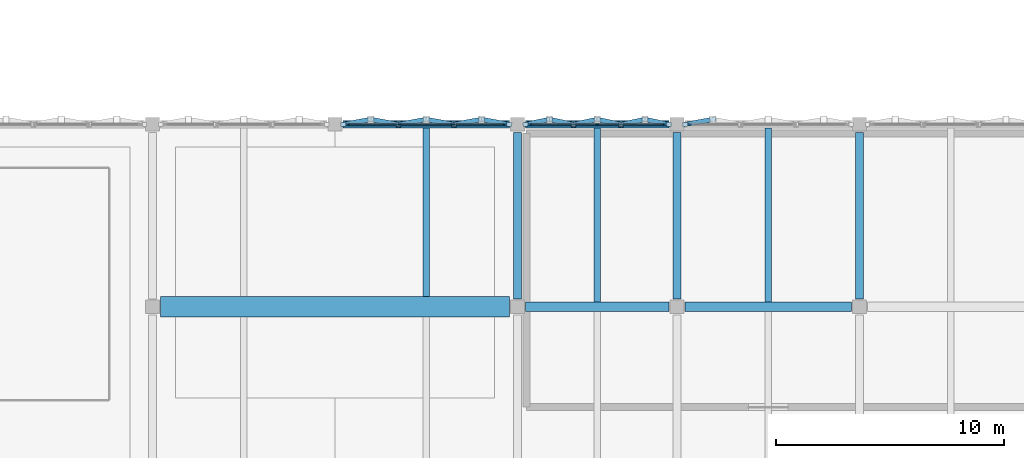
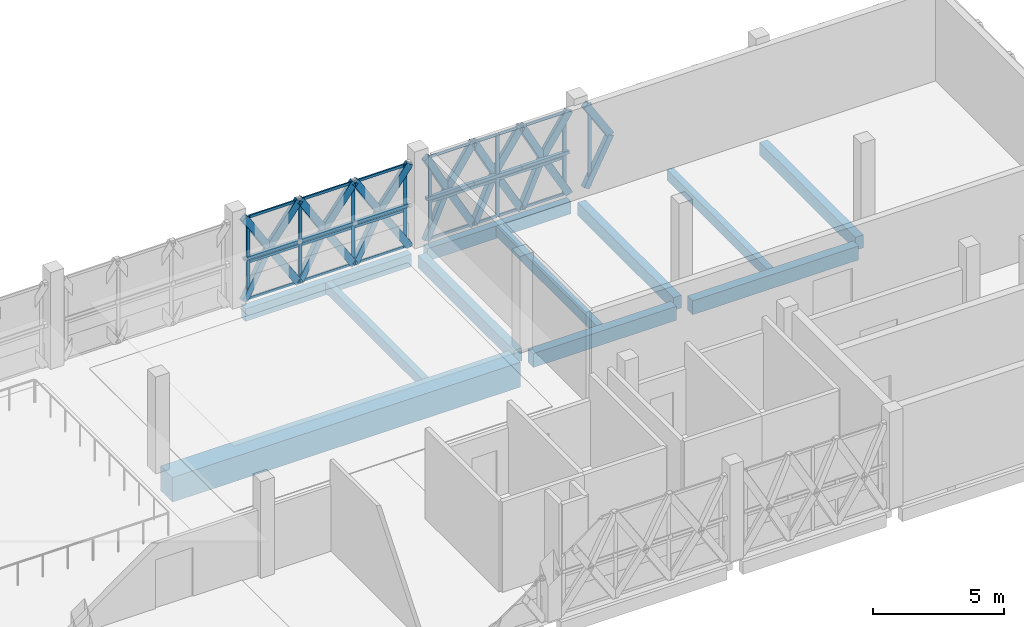
# One storey, part 17 of 43: 55 members, 11 beams, 3 elements without a shape of their own.
"""IFC4 building model written with IfcOpenShell, lengths in metres."""

from ifc_helpers import new_model, si_unit, direction, frame, origin, origin_2d, place, context, subcontext, project, spatial, rectangle, hollow_rectangle, extrude, material, layer, layer_set, material_profile, profile_set, type_object, element, aggregate, save


model = new_model("IFC4")

# Units and contexts
model_context = context("Model", 3, precision=1e-05, world=origin(), true_north=direction((0.0, 1.0)))
body_context = subcontext(model_context, "Body", "Model", "MODEL_VIEW")
ifc_project = project(units=[si_unit("LENGTHUNIT", "METRE"), si_unit("AREAUNIT", "SQUARE_METRE"), si_unit("VOLUMEUNIT", "CUBIC_METRE"), si_unit("PLANEANGLEUNIT", "RADIAN"), si_unit("MASSUNIT", "GRAM", prefix="KILO")], contexts=[model_context])

# Site, building, storey
site_placement = place(None, origin())
site = spatial("IfcSite", under=ifc_project, at=site_placement, CompositionType="ELEMENT")
building_placement = place(site_placement, origin())
building = spatial("IfcBuilding", under=site, at=building_placement, Name="Qorikala Patio Media Centre", CompositionType="ELEMENT")
storey_placement = place(building_placement, frame((0.0, 0.0, 18.89990234375)))
storey = spatial("IfcBuildingStorey", under=building, at=storey_placement, Name="L04", CompositionType="ELEMENT", Elevation=18.89990234375)

# Beams
ifc_material_1 = material(Name="Concrete C35/45", Category="concrete")
ifc_material_profile_1 = material_profile(ifc_material_1, rectangle(XDim=0.35009765625, YDim=0.60009765625, at=origin_2d()), Name="RC 350x600")
ifc_profile_set_1 = profile_set([ifc_material_profile_1], Name="Concrete C35/45")
beam_type_1 = type_object("IfcBeamType", Name="BM-G350X600", PredefinedType="BEAM", material=ifc_profile_set_1)
for number, where, z_axis, x_axis, name in (
    (1, (75.0, 19.35009765625, -0.599853515625), (0.0, 1.0, 0.0), (-1.0, 0.0, 0.0), "L04 Grid X=75 Beam 1434"),
    (2, (82.0, 19.35009765625, -0.599853515625), (0.0, 1.0, 0.0), (-1.0, 0.0, 0.0), "L04 Grid X=82 Beam 1437"),
    (3, (90.0, 19.35009765625, -0.599853515625), (0.0, 1.0, 0.0), (-1.0, 0.0, 0.0), "L04 Grid X=90 Beam 1439"),
):
    element("IfcBeam", number, at=place(storey_placement, frame(where, z_axis=z_axis, x_axis=x_axis)), inside=storey, type_object=beam_type_1, Name=name, PredefinedType="BEAM", context=body_context, shape_type="SweptSolid", body=[
        extrude(rectangle(XDim=0.35009765625, YDim=0.60009765625, at=origin_2d()), origin(), (0.0, 0.0, 1.0), 7.2998046875),
    ])
ifc_material_profile_2 = material_profile(ifc_material_1, rectangle(XDim=0.39990234375, YDim=0.64990234375, at=origin_2d()), Name="RC 400x650")
ifc_profile_set_2 = profile_set([ifc_material_profile_2], Name="Concrete C35/45")
beam_type_2 = type_object("IfcBeamType", Name="BM-G400X650", PredefinedType="BEAM", material=ifc_profile_set_2)
beam_1_placement = place(storey_placement, frame((75.35009765625, 19.0, -0.625), z_axis=(1.0, 0.0, 0.0), x_axis=(0.0, 1.0, 0.0)))
element("IfcBeam", 4, at=beam_1_placement, inside=storey, type_object=beam_type_2, Name="L04 Grid 19 Beam 1346", PredefinedType="BEAM", context=body_context, shape_type="SweptSolid", body=[
    extrude(rectangle(XDim=0.39990234375, YDim=0.64990234375, at=origin_2d()), origin(), (0.0, 0.0, 1.0), 6.2998046875),
])
beam_2_placement = place(storey_placement, frame((82.35009765625, 19.0, -0.625), z_axis=(1.0, 0.0, 0.0), x_axis=(0.0, 1.0, 0.0)))
element("IfcBeam", 5, at=beam_2_placement, inside=storey, type_object=beam_type_2, Name="L04 Grid 19 Beam 1347", PredefinedType="BEAM", context=body_context, shape_type="SweptSolid", body=[
    extrude(rectangle(XDim=0.39990234375, YDim=0.64990234375, at=origin_2d()), origin(), (0.0, 0.0, 1.0), 7.2998046875),
])
ifc_material_profile_3 = material_profile(ifc_material_1, rectangle(XDim=0.89990234375, YDim=1.14990234375, at=origin_2d()), Name="RC 900x1150")
ifc_profile_set_3 = profile_set([ifc_material_profile_3], Name="Concrete C35/45")
beam_type_3 = type_object("IfcBeamType", Name="BM-TR900X1150", PredefinedType="BEAM", material=ifc_profile_set_3)
beam_3_placement = place(storey_placement, frame((59.35009765625, 19.0, -0.875), z_axis=(1.0, 0.0, 0.0), x_axis=(0.0, 1.0, 0.0)))
element("IfcBeam", 6, at=beam_3_placement, inside=storey, type_object=beam_type_3, Name="L04 Grid 19 Beam 1345", PredefinedType="BEAM", context=body_context, shape_type="SweptSolid", body=[
    extrude(rectangle(XDim=0.89990234375, YDim=1.14990234375, at=origin_2d()), origin(), (0.0, 0.0, 1.0), 15.2998046875),
])

# Members
ifc_material_2 = material(Name="Golden Bronze Coated Steel S355", Category="steel")
ifc_material_profile_4 = material_profile(ifc_material_2, hollow_rectangle(XDim=0.139892578125, YDim=0.139892578125, WallThickness=0.006103515625, at=origin_2d()), Name="HSS140X140X6")
ifc_profile_set_4 = profile_set([ifc_material_profile_4], Name="Golden Bronze Coated Steel S355")
member_type_1 = type_object("IfcMemberType", Name="BRACE-DIA140", PredefinedType="BRACE", material=ifc_profile_set_4)
member_1_placement = place(storey_placement, frame((67.360107421875, 27.0, 1.925048828125), z_axis=(1.0, 0.0, 0.0), x_axis=(0.0, 1.0, 0.0)))
element("IfcMember", 7, at=member_1_placement, inside=storey, type_object=member_type_1, Name="L04 Diamond Fold Tie 109", PredefinedType="BRACE", context=body_context, shape_type="SweptSolid", body=[
    extrude(hollow_rectangle(XDim=0.139892578125, YDim=0.139892578125, WallThickness=0.006103515625, at=origin_2d()), origin(), (0.0, 0.0, 1.0), 2.426513671875),
])
member_2_placement = place(storey_placement, frame((69.78662109375, 27.0, 1.925048828125), z_axis=(1.0, 0.0, 0.0), x_axis=(0.0, 1.0, 0.0)))
element("IfcMember", 8, at=member_2_placement, inside=storey, type_object=member_type_1, Name="L04 Diamond Fold Tie 110", PredefinedType="BRACE", context=body_context, shape_type="SweptSolid", body=[
    extrude(hollow_rectangle(XDim=0.139892578125, YDim=0.139892578125, WallThickness=0.006103515625, at=origin_2d()), origin(), (0.0, 0.0, 1.0), 2.4267578125),
])
member_3_placement = place(storey_placement, frame((72.21337890625, 27.0, 1.925048828125), z_axis=(1.0, 0.0, 0.0), x_axis=(0.0, 1.0, 0.0)))
element("IfcMember", 9, at=member_3_placement, inside=storey, type_object=member_type_1, Name="L04 Diamond Fold Tie 111", PredefinedType="BRACE", context=body_context, shape_type="SweptSolid", body=[
    extrude(hollow_rectangle(XDim=0.139892578125, YDim=0.139892578125, WallThickness=0.006103515625, at=origin_2d()), origin(), (0.0, 0.0, 1.0), 2.426513671875),
])
for number, where, z_axis, x_axis, name in (
    (10, (75.360107421875, 27.0, 1.925048828125), (1.0, 0.0, 0.0), (0.0, 1.0, 0.0), "L04 Diamond Fold Tie 112"),
    (11, (77.453369140625, 27.0, 1.925048828125), (1.0, 0.0, 0.0), (0.0, 1.0, 0.0), "L04 Diamond Fold Tie 113"),
    (12, (79.546630859375, 27.0, 1.925048828125), (1.0, 0.0, 0.0), (0.0, 1.0, 0.0), "L04 Diamond Fold Tie 114"),
):
    element("IfcMember", number, at=place(storey_placement, frame(where, z_axis=z_axis, x_axis=x_axis)), inside=storey, type_object=member_type_1, Name=name, PredefinedType="BRACE", context=body_context, shape_type="SweptSolid", body=[
        extrude(hollow_rectangle(XDim=0.139892578125, YDim=0.139892578125, WallThickness=0.006103515625, at=origin_2d()), origin(), (0.0, 0.0, 1.0), 2.09326171875),
    ])

# Curtain wall, members
ifc_material_3 = material(Name="Golden Bronze Anodised Aluminium and Low-E Glass", Category="aluminium")
ifc_layer_1 = layer(ifc_material_3, 0.159912109375)
ifc_layer_set_1 = layer_set([ifc_layer_1], Name="Golden Bronze Anodised Aluminium and Low-E Glass")
curtain_wall_type_1 = type_object("IfcCurtainWallType", Name="CW-DIA-696X385", PredefinedType="USERDEFINED", material=ifc_layer_set_1)
curtain_wall_1_placement = place(storey_placement, origin())
curtain_wall_1 = element("IfcCurtainWall", 13, at=curtain_wall_1_placement, inside=storey, type_object=curtain_wall_type_1, Name="L04 Courtyard Curtain Wall 078", ObjectType="COURTYARD CURTAIN WALL", PredefinedType="USERDEFINED")
ifc_material_4 = material(Name="Golden Bronze Anodised Aluminium", Category="aluminium")
ifc_material_profile_5 = material_profile(ifc_material_4, rectangle(XDim=0.06494140625, YDim=0.14990234375, at=origin_2d()), Name="ALU MULLION 65x150")
ifc_profile_set_5 = profile_set([ifc_material_profile_5], Name="Golden Bronze Anodised Aluminium")
member_type_2 = type_object("IfcMemberType", Name="CWM-65X150", PredefinedType="MULLION", material=ifc_profile_set_5)
member_4_placement = place(storey_placement, frame((67.552490234375, 27.0, 0.0), z_axis=(0.0, 0.0, 1.0), x_axis=(0.0, 1.0, 0.0)))
member_4 = element("IfcMember", 14, at=member_4_placement, type_object=member_type_2, Name="CWD696385 mullion 1", PredefinedType="MULLION", context=body_context, shape_type="SweptSolid", body=[
    extrude(rectangle(XDim=0.06494140625, YDim=0.14990234375, at=origin_2d()), origin(), (0.0, 0.0, 1.0), 3.85009765625),
])
member_5_placement = place(storey_placement, frame((69.840087890625, 27.0, 0.0), z_axis=(0.0, 0.0, 1.0), x_axis=(0.0, 1.0, 0.0)))
member_5 = element("IfcMember", 15, at=member_5_placement, type_object=member_type_2, Name="CWD696385 mullion 2", PredefinedType="MULLION", context=body_context, shape_type="SweptSolid", body=[
    extrude(rectangle(XDim=0.06494140625, YDim=0.14990234375, at=origin_2d()), origin(), (0.0, 0.0, 1.0), 3.85009765625),
])
member_6_placement = place(storey_placement, frame((72.159912109375, 27.0, 0.0), z_axis=(0.0, 0.0, 1.0), x_axis=(0.0, 1.0, 0.0)))
member_6 = element("IfcMember", 16, at=member_6_placement, type_object=member_type_2, Name="CWD696385 mullion 3", PredefinedType="MULLION", context=body_context, shape_type="SweptSolid", body=[
    extrude(rectangle(XDim=0.06494140625, YDim=0.14990234375, at=origin_2d()), origin(), (0.0, 0.0, 1.0), 3.85009765625),
])
member_7_placement = place(storey_placement, frame((74.447509765625, 27.0, 0.0), z_axis=(0.0, 0.0, 1.0), x_axis=(0.0, 1.0, 0.0)))
member_7 = element("IfcMember", 17, at=member_7_placement, type_object=member_type_2, Name="CWD696385 mullion 4", PredefinedType="MULLION", context=body_context, shape_type="SweptSolid", body=[
    extrude(rectangle(XDim=0.06494140625, YDim=0.14990234375, at=origin_2d()), origin(), (0.0, 0.0, 1.0), 3.85009765625),
])

ifc_layer_2 = layer(ifc_material_3, 0.159912109375)
ifc_layer_set_2 = layer_set([ifc_layer_2], Name="Golden Bronze Anodised Aluminium and Low-E Glass")
curtain_wall_type_2 = type_object("IfcCurtainWallType", Name="CW-DIA-596X385", PredefinedType="USERDEFINED", material=ifc_layer_set_2)
curtain_wall_2_placement = place(storey_placement, origin())
curtain_wall_2 = element("IfcCurtainWall", 18, at=curtain_wall_2_placement, inside=storey, type_object=curtain_wall_type_2, Name="L04 Courtyard Curtain Wall 079", ObjectType="COURTYARD CURTAIN WALL", PredefinedType="USERDEFINED")
member_8_placement = place(storey_placement, frame((75.552490234375, 27.0, 0.0), z_axis=(0.0, 0.0, 1.0), x_axis=(0.0, 1.0, 0.0)))
member_8 = element("IfcMember", 19, at=member_8_placement, type_object=member_type_2, Name="CWD596385 mullion 1", PredefinedType="MULLION", context=body_context, shape_type="SweptSolid", body=[
    extrude(rectangle(XDim=0.06494140625, YDim=0.14990234375, at=origin_2d()), origin(), (0.0, 0.0, 1.0), 3.85009765625),
])
member_9_placement = place(storey_placement, frame((78.5, 27.0, 0.0), z_axis=(0.0, 0.0, 1.0), x_axis=(0.0, 1.0, 0.0)))
member_9 = element("IfcMember", 20, at=member_9_placement, type_object=member_type_2, Name="CWD596385 mullion 2", PredefinedType="MULLION", context=body_context, shape_type="SweptSolid", body=[
    extrude(rectangle(XDim=0.06494140625, YDim=0.14990234375, at=origin_2d()), origin(), (0.0, 0.0, 1.0), 3.85009765625),
])
member_10_placement = place(storey_placement, frame((81.447509765625, 27.0, 0.0), z_axis=(0.0, 0.0, 1.0), x_axis=(0.0, 1.0, 0.0)))
member_10 = element("IfcMember", 21, at=member_10_placement, type_object=member_type_2, Name="CWD596385 mullion 3", PredefinedType="MULLION", context=body_context, shape_type="SweptSolid", body=[
    extrude(rectangle(XDim=0.06494140625, YDim=0.14990234375, at=origin_2d()), origin(), (0.0, 0.0, 1.0), 3.85009765625),
])

# Curtain wall, member
curtain_wall_3_placement = place(storey_placement, origin())
curtain_wall_3 = element("IfcCurtainWall", 22, at=curtain_wall_3_placement, inside=storey, type_object=curtain_wall_type_1, Name="L04 Courtyard Curtain Wall 080", ObjectType="COURTYARD CURTAIN WALL", PredefinedType="USERDEFINED")
member_11_placement = place(storey_placement, frame((82.552490234375, 27.0, 0.0), z_axis=(0.0, 0.0, 1.0), x_axis=(0.0, 1.0, 0.0)))
member_11 = element("IfcMember", 23, at=member_11_placement, type_object=member_type_2, Name="CWD696385 mullion 1", PredefinedType="MULLION", context=body_context, shape_type="SweptSolid", body=[
    extrude(rectangle(XDim=0.06494140625, YDim=0.14990234375, at=origin_2d()), origin(), (0.0, 0.0, 1.0), 3.85009765625),
])
aggregate(curtain_wall_3, [member_11])

# Member
ifc_material_profile_6 = material_profile(ifc_material_4, rectangle(XDim=0.06494140625, YDim=0.1201171875, at=origin_2d()), Name="ALU TRANSOM 65x120")
ifc_profile_set_6 = profile_set([ifc_material_profile_6], Name="Golden Bronze Anodised Aluminium")
member_type_3 = type_object("IfcMemberType", Name="CWT-65X120", PredefinedType="USERDEFINED", material=ifc_profile_set_6)
member_12_placement = place(storey_placement, frame((67.5849609375, 27.0, 0.03271484375), z_axis=(1.0, 0.0, 0.0), x_axis=(0.0, 1.0, 0.0)))
member_12 = element("IfcMember", 24, at=member_12_placement, type_object=member_type_3, Name="CWD696385 transom 1.1", ObjectType="TRANSOM", PredefinedType="USERDEFINED", context=body_context, shape_type="SweptSolid", body=[
    extrude(rectangle(XDim=0.06494140625, YDim=0.1201171875, at=origin_2d()), origin(), (0.0, 0.0, 1.0), 2.22265625),
])

member_13_placement = place(storey_placement, frame((67.5849609375, 27.0, 1.732666015625), z_axis=(1.0, 0.0, 0.0), x_axis=(0.0, 1.0, 0.0)))
member_13 = element("IfcMember", 25, at=member_13_placement, type_object=member_type_3, Name="CWD696385 transom 1.2", ObjectType="TRANSOM", PredefinedType="USERDEFINED", context=body_context, shape_type="SweptSolid", body=[
    extrude(rectangle(XDim=0.06494140625, YDim=0.1201171875, at=origin_2d()), origin(), (0.0, 0.0, 1.0), 2.22265625),
])

member_14_placement = place(storey_placement, frame((67.5849609375, 27.0, 3.817626953125), z_axis=(1.0, 0.0, 0.0), x_axis=(0.0, 1.0, 0.0)))
member_14 = element("IfcMember", 26, at=member_14_placement, type_object=member_type_3, Name="CWD696385 transom 1.3", ObjectType="TRANSOM", PredefinedType="USERDEFINED", context=body_context, shape_type="SweptSolid", body=[
    extrude(rectangle(XDim=0.06494140625, YDim=0.1201171875, at=origin_2d()), origin(), (0.0, 0.0, 1.0), 2.22265625),
])

member_15_placement = place(storey_placement, frame((69.87255859375, 27.0, 0.03271484375), z_axis=(1.0, 0.0, 0.0), x_axis=(0.0, 1.0, 0.0)))
member_15 = element("IfcMember", 27, at=member_15_placement, type_object=member_type_3, Name="CWD696385 transom 2.1", ObjectType="TRANSOM", PredefinedType="USERDEFINED", context=body_context, shape_type="SweptSolid", body=[
    extrude(rectangle(XDim=0.06494140625, YDim=0.1201171875, at=origin_2d()), origin(), (0.0, 0.0, 1.0), 2.2548828125),
])

member_16_placement = place(storey_placement, frame((69.87255859375, 27.0, 1.732666015625), z_axis=(1.0, 0.0, 0.0), x_axis=(0.0, 1.0, 0.0)))
member_16 = element("IfcMember", 28, at=member_16_placement, type_object=member_type_3, Name="CWD696385 transom 2.2", ObjectType="TRANSOM", PredefinedType="USERDEFINED", context=body_context, shape_type="SweptSolid", body=[
    extrude(rectangle(XDim=0.06494140625, YDim=0.1201171875, at=origin_2d()), origin(), (0.0, 0.0, 1.0), 2.2548828125),
])

member_17_placement = place(storey_placement, frame((69.87255859375, 27.0, 3.817626953125), z_axis=(1.0, 0.0, 0.0), x_axis=(0.0, 1.0, 0.0)))
member_17 = element("IfcMember", 29, at=member_17_placement, type_object=member_type_3, Name="CWD696385 transom 2.3", ObjectType="TRANSOM", PredefinedType="USERDEFINED", context=body_context, shape_type="SweptSolid", body=[
    extrude(rectangle(XDim=0.06494140625, YDim=0.1201171875, at=origin_2d()), origin(), (0.0, 0.0, 1.0), 2.2548828125),
])

member_18_placement = place(storey_placement, frame((72.1923828125, 27.0, 0.03271484375), z_axis=(1.0, 0.0, 0.0), x_axis=(0.0, 1.0, 0.0)))
member_18 = element("IfcMember", 30, at=member_18_placement, type_object=member_type_3, Name="CWD696385 transom 3.1", ObjectType="TRANSOM", PredefinedType="USERDEFINED", context=body_context, shape_type="SweptSolid", body=[
    extrude(rectangle(XDim=0.06494140625, YDim=0.1201171875, at=origin_2d()), origin(), (0.0, 0.0, 1.0), 2.22265625),
])

member_19_placement = place(storey_placement, frame((72.1923828125, 27.0, 1.732666015625), z_axis=(1.0, 0.0, 0.0), x_axis=(0.0, 1.0, 0.0)))
member_19 = element("IfcMember", 31, at=member_19_placement, type_object=member_type_3, Name="CWD696385 transom 3.2", ObjectType="TRANSOM", PredefinedType="USERDEFINED", context=body_context, shape_type="SweptSolid", body=[
    extrude(rectangle(XDim=0.06494140625, YDim=0.1201171875, at=origin_2d()), origin(), (0.0, 0.0, 1.0), 2.22265625),
])

member_20_placement = place(storey_placement, frame((72.1923828125, 27.0, 3.817626953125), z_axis=(1.0, 0.0, 0.0), x_axis=(0.0, 1.0, 0.0)))
member_20 = element("IfcMember", 32, at=member_20_placement, type_object=member_type_3, Name="CWD696385 transom 3.3", ObjectType="TRANSOM", PredefinedType="USERDEFINED", context=body_context, shape_type="SweptSolid", body=[
    extrude(rectangle(XDim=0.06494140625, YDim=0.1201171875, at=origin_2d()), origin(), (0.0, 0.0, 1.0), 2.22265625),
])

aggregate(curtain_wall_1, [member_4, member_5, member_6, member_7, member_12, member_13, member_14, member_15, member_16, member_17, member_18, member_19, member_20])

member_21_placement = place(storey_placement, frame((75.5849609375, 27.0, 0.03271484375), z_axis=(1.0, 0.0, 0.0), x_axis=(0.0, 1.0, 0.0)))
member_21 = element("IfcMember", 33, at=member_21_placement, type_object=member_type_3, Name="CWD596385 transom 1.1", ObjectType="TRANSOM", PredefinedType="USERDEFINED", context=body_context, shape_type="SweptSolid", body=[
    extrude(rectangle(XDim=0.06494140625, YDim=0.1201171875, at=origin_2d()), origin(), (0.0, 0.0, 1.0), 2.882568359375),
])

member_22_placement = place(storey_placement, frame((75.5849609375, 27.0, 1.732666015625), z_axis=(1.0, 0.0, 0.0), x_axis=(0.0, 1.0, 0.0)))
member_22 = element("IfcMember", 34, at=member_22_placement, type_object=member_type_3, Name="CWD596385 transom 1.2", ObjectType="TRANSOM", PredefinedType="USERDEFINED", context=body_context, shape_type="SweptSolid", body=[
    extrude(rectangle(XDim=0.06494140625, YDim=0.1201171875, at=origin_2d()), origin(), (0.0, 0.0, 1.0), 2.882568359375),
])

member_23_placement = place(storey_placement, frame((75.5849609375, 27.0, 3.817626953125), z_axis=(1.0, 0.0, 0.0), x_axis=(0.0, 1.0, 0.0)))
member_23 = element("IfcMember", 35, at=member_23_placement, type_object=member_type_3, Name="CWD596385 transom 1.3", ObjectType="TRANSOM", PredefinedType="USERDEFINED", context=body_context, shape_type="SweptSolid", body=[
    extrude(rectangle(XDim=0.06494140625, YDim=0.1201171875, at=origin_2d()), origin(), (0.0, 0.0, 1.0), 2.882568359375),
])

member_24_placement = place(storey_placement, frame((78.532470703125, 27.0, 0.03271484375), z_axis=(1.0, 0.0, 0.0), x_axis=(0.0, 1.0, 0.0)))
member_24 = element("IfcMember", 36, at=member_24_placement, type_object=member_type_3, Name="CWD596385 transom 2.1", ObjectType="TRANSOM", PredefinedType="USERDEFINED", context=body_context, shape_type="SweptSolid", body=[
    extrude(rectangle(XDim=0.06494140625, YDim=0.1201171875, at=origin_2d()), origin(), (0.0, 0.0, 1.0), 2.882568359375),
])

member_25_placement = place(storey_placement, frame((78.532470703125, 27.0, 1.732666015625), z_axis=(1.0, 0.0, 0.0), x_axis=(0.0, 1.0, 0.0)))
member_25 = element("IfcMember", 37, at=member_25_placement, type_object=member_type_3, Name="CWD596385 transom 2.2", ObjectType="TRANSOM", PredefinedType="USERDEFINED", context=body_context, shape_type="SweptSolid", body=[
    extrude(rectangle(XDim=0.06494140625, YDim=0.1201171875, at=origin_2d()), origin(), (0.0, 0.0, 1.0), 2.882568359375),
])

member_26_placement = place(storey_placement, frame((78.532470703125, 27.0, 3.817626953125), z_axis=(1.0, 0.0, 0.0), x_axis=(0.0, 1.0, 0.0)))
member_26 = element("IfcMember", 38, at=member_26_placement, type_object=member_type_3, Name="CWD596385 transom 2.3", ObjectType="TRANSOM", PredefinedType="USERDEFINED", context=body_context, shape_type="SweptSolid", body=[
    extrude(rectangle(XDim=0.06494140625, YDim=0.1201171875, at=origin_2d()), origin(), (0.0, 0.0, 1.0), 2.882568359375),
])

aggregate(curtain_wall_2, [member_8, member_9, member_10, member_21, member_22, member_23, member_24, member_25, member_26])

# Beams
ifc_material_profile_7 = material_profile(ifc_material_1, rectangle(XDim=0.280029296875, YDim=0.47998046875, at=origin_2d()), Name="RC 280x480")
ifc_profile_set_7 = profile_set([ifc_material_profile_7], Name="Concrete C35/45")
beam_type_4 = type_object("IfcBeamType", Name="JS-280X480", PredefinedType="JOIST", material=ifc_profile_set_7)
beam_4_placement = place(storey_placement, frame((71.0, 19.449951171875, -0.539794921875), z_axis=(0.0, 1.0, 0.0), x_axis=(-1.0, 0.0, 0.0)))
element("IfcBeam", 39, at=beam_4_placement, inside=storey, type_object=beam_type_4, Name="L04 Secondary Joist 1478", PredefinedType="JOIST", context=body_context, shape_type="SweptSolid", body=[
    extrude(rectangle(XDim=0.280029296875, YDim=0.47998046875, at=origin_2d()), origin(), (0.0, 0.0, 1.0), 7.39013671875),
])
for number, where, z_axis, x_axis, name in (
    (40, (78.5, 19.199951171875, -0.539794921875), (0.0, 1.0, 0.0), (-1.0, 0.0, 0.0), "L04 Secondary Joist 1481"),
    (41, (86.0, 19.199951171875, -0.539794921875), (0.0, 1.0, 0.0), (-1.0, 0.0, 0.0), "L04 Secondary Joist 1483"),
):
    element("IfcBeam", number, at=place(storey_placement, frame(where, z_axis=z_axis, x_axis=x_axis)), inside=storey, type_object=beam_type_4, Name=name, PredefinedType="JOIST", context=body_context, shape_type="SweptSolid", body=[
        extrude(rectangle(XDim=0.280029296875, YDim=0.47998046875, at=origin_2d()), origin(), (0.0, 0.0, 1.0), 7.64013671875),
    ])
ifc_material_profile_8 = material_profile(ifc_material_1, rectangle(XDim=0.320068359375, YDim=0.580078125, at=origin_2d()), Name="RC 320x580")
ifc_profile_set_8 = profile_set([ifc_material_profile_8], Name="Concrete C35/45")
beam_type_5 = type_object("IfcBeamType", Name="SP-320X580", PredefinedType="SPANDREL", material=ifc_profile_set_8)
beam_5_placement = place(storey_placement, frame((67.35009765625, 27.0, -0.58984375), z_axis=(1.0, 0.0, 0.0), x_axis=(0.0, 1.0, 0.0)))
element("IfcBeam", 42, at=beam_5_placement, inside=storey, type_object=beam_type_5, Name="L04 Grid 27 Beam 1357", PredefinedType="SPANDREL", context=body_context, shape_type="SweptSolid", body=[
    extrude(rectangle(XDim=0.320068359375, YDim=0.580078125, at=origin_2d()), origin(), (0.0, 0.0, 1.0), 7.2998046875),
])
beam_6_placement = place(storey_placement, frame((75.35009765625, 27.0, -0.58984375), z_axis=(1.0, 0.0, 0.0), x_axis=(0.0, 1.0, 0.0)))
element("IfcBeam", 43, at=beam_6_placement, inside=storey, type_object=beam_type_5, Name="L04 Grid 27 Beam 1358", PredefinedType="SPANDREL", context=body_context, shape_type="SweptSolid", body=[
    extrude(rectangle(XDim=0.320068359375, YDim=0.580078125, at=origin_2d()), origin(), (0.0, 0.0, 1.0), 6.2998046875),
])

# Members
ifc_material_profile_9 = material_profile(ifc_material_2, hollow_rectangle(XDim=0.199951171875, YDim=0.300048828125, WallThickness=0.011962890625, at=origin_2d()), Name="HSS300X200X12")
ifc_profile_set_9 = profile_set([ifc_material_profile_9], Name="Golden Bronze Coated Steel S355")
member_type_4 = type_object("IfcMemberType", Name="STRUT-DIA300", PredefinedType="STRUT", material=ifc_profile_set_9)
member_27_placement = place(storey_placement, frame((67.360107421875, 27.0, 0.0), z_axis=(0.530691378365, 0.095906793675, 0.842121456713), x_axis=(-0.17783968734, 0.984059472596, 0.0)))
element("IfcMember", 44, at=member_27_placement, inside=storey, type_object=member_type_4, Name="L04 Diamond Foyer Fold Strut 109-DL1", PredefinedType="STRUT", context=body_context, shape_type="SweptSolid", body=[
    extrude(hollow_rectangle(XDim=0.199951171875, YDim=0.300048828125, WallThickness=0.011962890625, at=origin_2d()), origin(), (0.0, 0.0, 1.0), 2.285888671875),
])
member_28_placement = place(storey_placement, frame((69.78662109375, 27.0, 0.0), z_axis=(-0.530768093717, 0.095901357778, 0.842073726148), x_axis=(-0.177805036072, -0.98406573416, 0.0)))
element("IfcMember", 45, at=member_28_placement, inside=storey, type_object=member_type_4, Name="L04 Diamond Foyer Fold Strut 109-DL2", PredefinedType="STRUT", context=body_context, shape_type="SweptSolid", body=[
    extrude(hollow_rectangle(XDim=0.199951171875, YDim=0.300048828125, WallThickness=0.011962890625, at=origin_2d()), origin(), (0.0, 0.0, 1.0), 2.2861328125),
])
member_29_placement = place(storey_placement, frame((68.5732421875, 27.21923828125, 1.925048828125), z_axis=(-0.530691378365, -0.095906793675, 0.842121456713), x_axis=(0.17783968734, -0.984059472596, 0.0)))
element("IfcMember", 46, at=member_29_placement, inside=storey, type_object=member_type_4, Name="L04 Diamond Foyer Fold Strut 109-DU1", PredefinedType="STRUT", context=body_context, shape_type="SweptSolid", body=[
    extrude(hollow_rectangle(XDim=0.199951171875, YDim=0.300048828125, WallThickness=0.011962890625, at=origin_2d()), origin(), (0.0, 0.0, 1.0), 2.285888671875),
])
for number, where, z_axis, x_axis, name in (
    (47, (68.5732421875, 27.21923828125, 1.925048828125), (0.530768093717, -0.095901357778, 0.842073726148), (0.177805036072, 0.98406573416, 0.0), "L04 Diamond Foyer Fold Strut 109-DU2"),
    (48, (69.78662109375, 27.0, 0.0), (0.530768093717, 0.095901357778, 0.842073726148), (-0.177805036072, 0.98406573416, 0.0), "L04 Diamond Foyer Fold Strut 110-DL1"),
    (49, (72.21337890625, 27.0, 0.0), (-0.530768093717, 0.095901357778, 0.842073726148), (-0.177805036072, -0.98406573416, 0.0), "L04 Diamond Foyer Fold Strut 110-DL2"),
    (50, (71.0, 27.21923828125, 1.925048828125), (-0.530768093717, -0.095901357778, 0.842073726148), (0.177805036072, -0.98406573416, 0.0), "L04 Diamond Foyer Fold Strut 110-DU1"),
    (51, (71.0, 27.21923828125, 1.925048828125), (0.530768093717, -0.095901357778, 0.842073726148), (0.177805036072, 0.98406573416, 0.0), "L04 Diamond Foyer Fold Strut 110-DU2"),
    (52, (72.21337890625, 27.0, 0.0), (0.530768093717, 0.095901357778, 0.842073726148), (-0.177805036072, 0.98406573416, 0.0), "L04 Diamond Foyer Fold Strut 111-DL1"),
):
    element("IfcMember", number, at=place(storey_placement, frame(where, z_axis=z_axis, x_axis=x_axis)), inside=storey, type_object=member_type_4, Name=name, PredefinedType="STRUT", context=body_context, shape_type="SweptSolid", body=[
        extrude(hollow_rectangle(XDim=0.199951171875, YDim=0.300048828125, WallThickness=0.011962890625, at=origin_2d()), origin(), (0.0, 0.0, 1.0), 2.2861328125),
    ])
member_30_placement = place(storey_placement, frame((74.639892578125, 27.0, 0.0), z_axis=(-0.530691378365, 0.095906793675, 0.842121456713), x_axis=(-0.17783968734, -0.984059472596, 0.0)))
element("IfcMember", 53, at=member_30_placement, inside=storey, type_object=member_type_4, Name="L04 Diamond Foyer Fold Strut 111-DL2", PredefinedType="STRUT", context=body_context, shape_type="SweptSolid", body=[
    extrude(hollow_rectangle(XDim=0.199951171875, YDim=0.300048828125, WallThickness=0.011962890625, at=origin_2d()), origin(), (0.0, 0.0, 1.0), 2.285888671875),
])
member_31_placement = place(storey_placement, frame((73.4267578125, 27.21923828125, 1.925048828125), z_axis=(-0.530768093717, -0.095901357778, 0.842073726148), x_axis=(0.177805036072, -0.98406573416, 0.0)))
element("IfcMember", 54, at=member_31_placement, inside=storey, type_object=member_type_4, Name="L04 Diamond Foyer Fold Strut 111-DU1", PredefinedType="STRUT", context=body_context, shape_type="SweptSolid", body=[
    extrude(hollow_rectangle(XDim=0.199951171875, YDim=0.300048828125, WallThickness=0.011962890625, at=origin_2d()), origin(), (0.0, 0.0, 1.0), 2.2861328125),
])
member_32_placement = place(storey_placement, frame((73.4267578125, 27.21923828125, 1.925048828125), z_axis=(0.530691378365, -0.095906793675, 0.842121456713), x_axis=(0.17783968734, 0.984059472596, 0.0)))
element("IfcMember", 55, at=member_32_placement, inside=storey, type_object=member_type_4, Name="L04 Diamond Foyer Fold Strut 111-DU2", PredefinedType="STRUT", context=body_context, shape_type="SweptSolid", body=[
    extrude(hollow_rectangle(XDim=0.199951171875, YDim=0.300048828125, WallThickness=0.011962890625, at=origin_2d()), origin(), (0.0, 0.0, 1.0), 2.285888671875),
])
for number, where, z_axis, x_axis, name in (
    (56, (75.360107421875, 27.0, 0.0), (0.475284177813, 0.099558010654, 0.87418141872), (-0.205020837962, 0.9787576084, 0.0), "L04 Diamond Foyer Fold Strut 112-DL1"),
    (57, (77.453369140625, 27.0, 0.0), (-0.475284177813, 0.099558010654, 0.87418141872), (-0.205020837962, -0.9787576084, 0.0), "L04 Diamond Foyer Fold Strut 112-DL2"),
    (58, (76.40673828125, 27.21923828125, 1.925048828125), (-0.475284177813, -0.099558010654, 0.87418141872), (0.205020837962, -0.9787576084, 0.0), "L04 Diamond Foyer Fold Strut 112-DU1"),
    (59, (76.40673828125, 27.21923828125, 1.925048828125), (0.475284177813, -0.099558010654, 0.87418141872), (0.205020837962, 0.9787576084, 0.0), "L04 Diamond Foyer Fold Strut 112-DU2"),
    (60, (77.453369140625, 27.0, 0.0), (0.475284177813, 0.099558010654, 0.87418141872), (-0.205020837962, 0.9787576084, 0.0), "L04 Diamond Foyer Fold Strut 113-DL1"),
    (61, (79.546630859375, 27.0, 0.0), (-0.475284177813, 0.099558010654, 0.87418141872), (-0.205020837962, -0.9787576084, 0.0), "L04 Diamond Foyer Fold Strut 113-DL2"),
    (62, (78.5, 27.21923828125, 1.925048828125), (-0.475284177813, -0.099558010654, 0.87418141872), (0.205020837962, -0.9787576084, 0.0), "L04 Diamond Foyer Fold Strut 113-DU1"),
    (63, (78.5, 27.21923828125, 1.925048828125), (0.475284177813, -0.099558010654, 0.87418141872), (0.205020837962, 0.9787576084, 0.0), "L04 Diamond Foyer Fold Strut 113-DU2"),
    (64, (79.546630859375, 27.0, 0.0), (0.475284177813, 0.099558010654, 0.87418141872), (-0.205020837962, 0.9787576084, 0.0), "L04 Diamond Foyer Fold Strut 114-DL1"),
    (65, (81.639892578125, 27.0, 0.0), (-0.475284177813, 0.099558010654, 0.87418141872), (-0.205020837962, -0.9787576084, 0.0), "L04 Diamond Foyer Fold Strut 114-DL2"),
    (66, (80.59326171875, 27.21923828125, 1.925048828125), (-0.475284177813, -0.099558010654, 0.87418141872), (0.205020837962, -0.9787576084, 0.0), "L04 Diamond Foyer Fold Strut 114-DU1"),
    (67, (80.59326171875, 27.21923828125, 1.925048828125), (0.475284177813, -0.099558010654, 0.87418141872), (0.205020837962, 0.9787576084, 0.0), "L04 Diamond Foyer Fold Strut 114-DU2"),
):
    element("IfcMember", number, at=place(storey_placement, frame(where, z_axis=z_axis, x_axis=x_axis)), inside=storey, type_object=member_type_4, Name=name, PredefinedType="STRUT", context=body_context, shape_type="SweptSolid", body=[
        extrude(hollow_rectangle(XDim=0.199951171875, YDim=0.300048828125, WallThickness=0.011962890625, at=origin_2d()), origin(), (0.0, 0.0, 1.0), 2.2021484375),
    ])
for number, where, z_axis, x_axis, name in (
    (68, (82.360107421875, 27.0, 0.0), (0.530691378365, 0.095906793675, 0.842121456713), (-0.17783968734, 0.984059472596, 0.0), "L04 Diamond Foyer Fold Strut 115-DL1"),
    (69, (83.5732421875, 27.21923828125, 1.925048828125), (-0.530691378365, -0.095906793675, 0.842121456713), (0.17783968734, -0.984059472596, 0.0), "L04 Diamond Foyer Fold Strut 115-DU1"),
):
    element("IfcMember", number, at=place(storey_placement, frame(where, z_axis=z_axis, x_axis=x_axis)), inside=storey, type_object=member_type_4, Name=name, PredefinedType="STRUT", context=body_context, shape_type="SweptSolid", body=[
        extrude(hollow_rectangle(XDim=0.199951171875, YDim=0.300048828125, WallThickness=0.011962890625, at=origin_2d()), origin(), (0.0, 0.0, 1.0), 2.285888671875),
    ])

save(model, "model.ifc")
